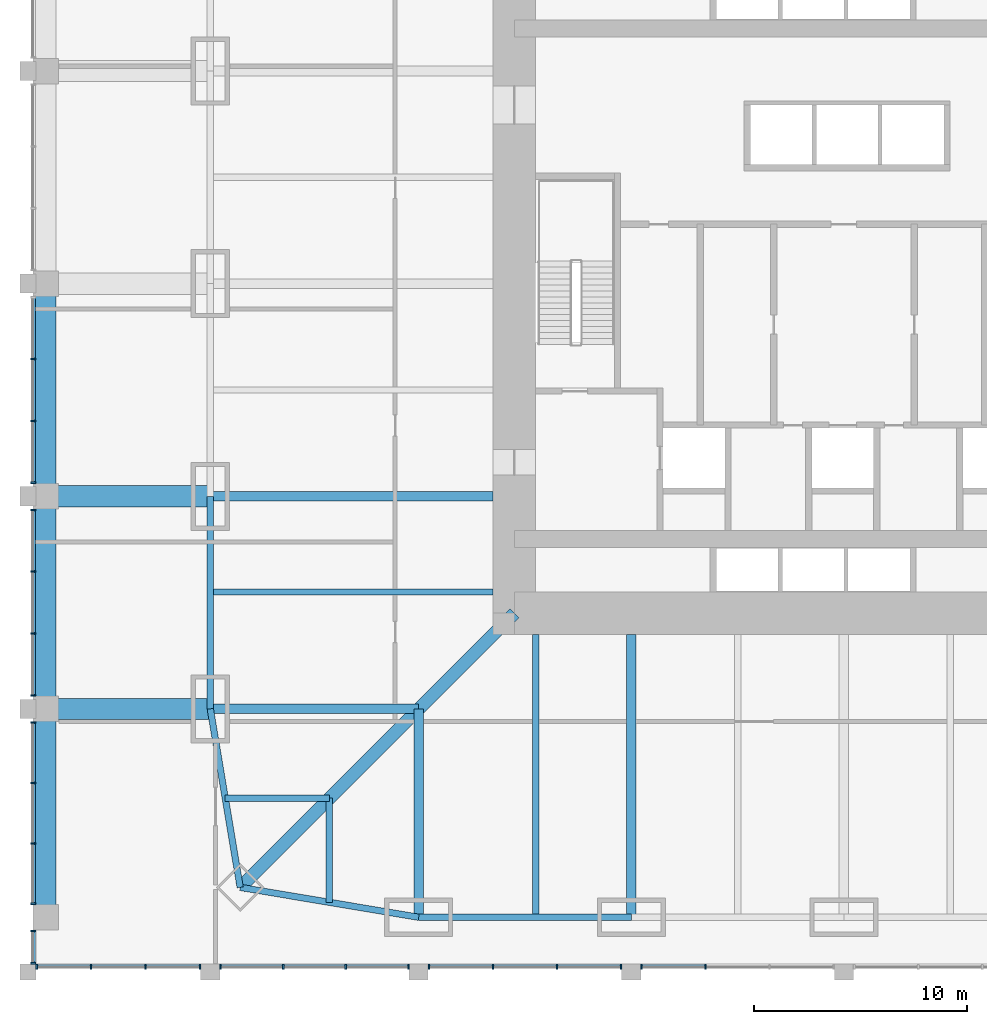
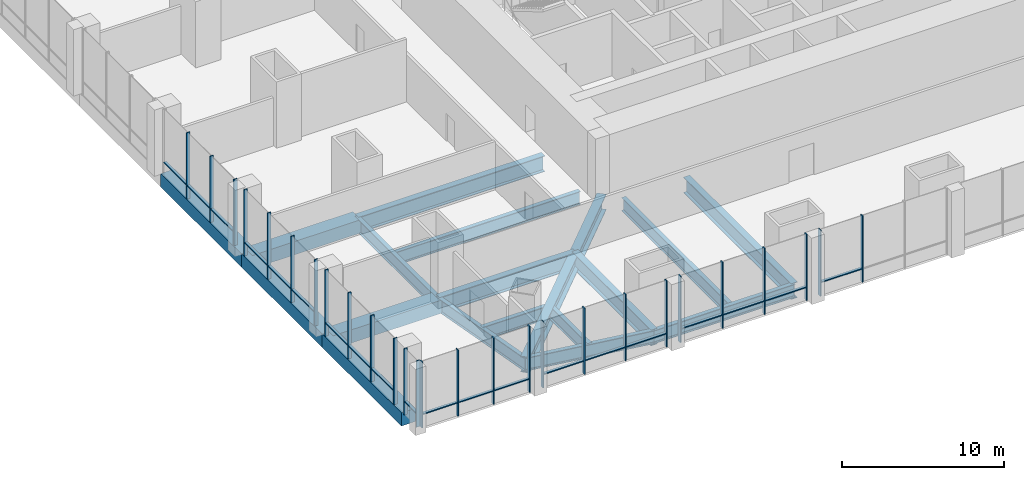
# One storey, part 2 of 22: 47 members, 18 beams, 8 elements without a shape of their own.
"""IFC4 building model written with IfcOpenShell, lengths in metres."""

from ifc_helpers import new_model, si_unit, direction, frame, origin, origin_2d, place, context, subcontext, project, spatial, rectangle, i_section, extrude, material, material_profile, profile_set, type_object, element, aggregate, save


model = new_model("IFC4")

# Units and contexts
model_context = context("Model", 3, precision=1e-05, world=origin(), true_north=direction((0.0, 1.0)))
body_context = subcontext(model_context, "Body", "Model", "MODEL_VIEW")
ifc_project = project(units=[si_unit("LENGTHUNIT", "METRE"), si_unit("AREAUNIT", "SQUARE_METRE"), si_unit("VOLUMEUNIT", "CUBIC_METRE"), si_unit("PLANEANGLEUNIT", "RADIAN"), si_unit("MASSUNIT", "GRAM", prefix="KILO")], contexts=[model_context])

# Site, building, storey
site_placement = place(None, origin())
site = spatial("IfcSite", under=ifc_project, at=site_placement, CompositionType="ELEMENT")
building_placement = place(site_placement, origin())
building = spatial("IfcBuilding", under=site, at=building_placement, Name="Khuree Lantern Residences", CompositionType="ELEMENT")
storey_placement = place(building_placement, frame((0.0, 0.0, 16.0)))
storey = spatial("IfcBuildingStorey", under=building, at=storey_placement, Name="L03", CompositionType="ELEMENT", Elevation=16.0)

# Beams
ifc_material_1 = material(Name="Steel S355", Category="steel")
ifc_material_profile_1 = material_profile(ifc_material_1, i_section(OverallWidth=0.300048828125, OverallDepth=1.0, WebThickness=0.01904296875, FlangeThickness=0.035888671875, FilletRadius=0.030029296875, at=origin_2d()), Name="HE 1000 B")
ifc_profile_set_1 = profile_set([ifc_material_profile_1], Name="Steel S355")
beam_type_1 = type_object("IfcBeamType", Name="B-03 SECONDARY BEAM HE 1000 B", PredefinedType="BEAM", material=ifc_profile_set_1)
beam_1_placement = place(storey_placement, frame((-14.5, -29.800048828125, -0.800048828125), z_axis=(0.0, 1.0, 0.0), x_axis=(-1.0, 0.0, 0.0)))
element("IfcBeam", 1, at=beam_1_placement, inside=storey, type_object=beam_type_1, Name="Secondary beam S5", PredefinedType="BEAM", context=body_context, shape_type="SweptSolid", body=[
    extrude(i_section(OverallWidth=0.300048828125, OverallDepth=1.0, WebThickness=0.01904296875, FlangeThickness=0.035888671875, FilletRadius=0.030029296875, at=origin_2d()), origin(), (0.0, 0.0, 1.0), 13.300048828125),
])
for number, where, z_axis, x_axis, name in (
    (2, (-24.197021484375, -29.09716796875, -0.800048828125), (0.0, 1.0, 0.0), (-1.0, 0.0, 0.0), "Secondary beam S6"),
    (3, (-29.09716796875, -24.197021484375, -0.800048828125), (1.0, 0.0, 0.0), (0.0, 1.0, 0.0), "Secondary beam W1"),
):
    element("IfcBeam", number, at=place(storey_placement, frame(where, z_axis=z_axis, x_axis=x_axis)), inside=storey, type_object=beam_type_1, Name=name, PredefinedType="BEAM", context=body_context, shape_type="SweptSolid", body=[
        extrude(i_section(OverallWidth=0.300048828125, OverallDepth=1.0, WebThickness=0.01904296875, FlangeThickness=0.035888671875, FilletRadius=0.030029296875, at=origin_2d()), origin(), (0.0, 0.0, 1.0), 4.900146484375),
    ])
beam_2_placement = place(storey_placement, frame((-29.800048828125, -14.5, -0.800048828125), z_axis=(1.0, 0.0, 0.0), x_axis=(0.0, 1.0, 0.0)))
element("IfcBeam", 4, at=beam_2_placement, inside=storey, type_object=beam_type_1, Name="Secondary beam W2", PredefinedType="BEAM", context=body_context, shape_type="SweptSolid", body=[
    extrude(i_section(OverallWidth=0.300048828125, OverallDepth=1.0, WebThickness=0.01904296875, FlangeThickness=0.035888671875, FilletRadius=0.030029296875, at=origin_2d()), origin(), (0.0, 0.0, 1.0), 13.300048828125),
])
ifc_material_profile_2 = material_profile(ifc_material_1, i_section(OverallWidth=0.300048828125, OverallDepth=1.0, WebThickness=0.01904296875, FlangeThickness=0.035888671875, FilletRadius=0.030029296875, at=origin_2d()), Name="HE 1000 B")
ifc_profile_set_2 = profile_set([ifc_material_profile_2], Name="Steel S355")
beam_type_2 = type_object("IfcBeamType", Name="E-03 SPANDREL BEAM HE 1000 B", PredefinedType="SPANDREL", material=ifc_profile_set_2)
beam_3_placement = place(storey_placement, frame((-10.0, -29.800048828125, -0.800048828125), z_axis=(-1.0, 0.0, 0.0), x_axis=(0.0, -1.0, 0.0)))
element("IfcBeam", 5, at=beam_3_placement, inside=storey, type_object=beam_type_2, Name="Spandrel beam S5", PredefinedType="SPANDREL", context=body_context, shape_type="SweptSolid", body=[
    extrude(i_section(OverallWidth=0.300048828125, OverallDepth=1.0, WebThickness=0.01904296875, FlangeThickness=0.035888671875, FilletRadius=0.030029296875, at=origin_2d()), origin(), (0.0, 0.0, 1.0), 10.0),
])
for number, where, z_axis, x_axis, name in (
    (6, (-20.0, -29.800048828125, -0.800048828125), (-0.986260251158, 0.165199022349, 0.0), (-0.165199022349, -0.986260251158, 0.0), "Spandrel beam S6"),
    (7, (-28.39404296875, -28.39404296875, -0.800048828125), (-0.165199022349, 0.986260251158, 0.0), (-0.986260251158, -0.165199022349, 0.0), "Spandrel beam W1"),
):
    element("IfcBeam", number, at=place(storey_placement, frame(where, z_axis=z_axis, x_axis=x_axis)), inside=storey, type_object=beam_type_2, Name=name, PredefinedType="SPANDREL", context=body_context, shape_type="SweptSolid", body=[
        extrude(i_section(OverallWidth=0.300048828125, OverallDepth=1.0, WebThickness=0.01904296875, FlangeThickness=0.035888671875, FilletRadius=0.030029296875, at=origin_2d()), origin(), (0.0, 0.0, 1.0), 8.510986328125),
    ])
beam_4_placement = place(storey_placement, frame((-29.800048828125, -20.0, -0.800048828125), z_axis=(0.0, 1.0, 0.0), x_axis=(-1.0, 0.0, 0.0)))
element("IfcBeam", 8, at=beam_4_placement, inside=storey, type_object=beam_type_2, Name="Spandrel beam W2", PredefinedType="SPANDREL", context=body_context, shape_type="SweptSolid", body=[
    extrude(i_section(OverallWidth=0.300048828125, OverallDepth=1.0, WebThickness=0.01904296875, FlangeThickness=0.035888671875, FilletRadius=0.030029296875, at=origin_2d()), origin(), (0.0, 0.0, 1.0), 10.0),
])
ifc_material_profile_3 = material_profile(ifc_material_1, i_section(OverallWidth=0.449951171875, OverallDepth=1.199951171875, WebThickness=0.02490234375, FlangeThickness=0.044921875, at=origin_2d()), Name="WELDED I 1200X450X25X45")
ifc_profile_set_3 = profile_set([ifc_material_profile_3], Name="Steel S355")
beam_type_3 = type_object("IfcBeamType", Name="G-03 GIRDER WELDED I 1200X450X25X45", PredefinedType="BEAM", material=ifc_profile_set_3)
beam_5_placement = place(storey_placement, frame((-10.0, -29.800048828125, -0.89990234375), z_axis=(0.0, 1.0, 0.0), x_axis=(-1.0, 0.0, 0.0)))
element("IfcBeam", 9, at=beam_5_placement, inside=storey, type_object=beam_type_3, Name="Girder S4", PredefinedType="BEAM", context=body_context, shape_type="SweptSolid", body=[
    extrude(i_section(OverallWidth=0.449951171875, OverallDepth=1.199951171875, WebThickness=0.02490234375, FlangeThickness=0.044921875, at=origin_2d()), origin(), (0.0, 0.0, 1.0), 13.300048828125),
])
for number, where, z_axis, x_axis, name in (
    (10, (-20.0, -29.800048828125, -0.89990234375), (0.0, 1.0, 0.0), (-1.0, 0.0, 0.0), "Girder S5"),
    (11, (-29.800048828125, -20.0, -0.89990234375), (1.0, 0.0, 0.0), (0.0, 1.0, 0.0), "Girder W1"),
):
    element("IfcBeam", number, at=place(storey_placement, frame(where, z_axis=z_axis, x_axis=x_axis)), inside=storey, type_object=beam_type_3, Name=name, PredefinedType="BEAM", context=body_context, shape_type="SweptSolid", body=[
        extrude(i_section(OverallWidth=0.449951171875, OverallDepth=1.199951171875, WebThickness=0.02490234375, FlangeThickness=0.044921875, at=origin_2d()), origin(), (0.0, 0.0, 1.0), 9.800048828125),
    ])
beam_6_placement = place(storey_placement, frame((-29.800048828125, -10.0, -0.89990234375), z_axis=(1.0, 0.0, 0.0), x_axis=(0.0, 1.0, 0.0)))
element("IfcBeam", 12, at=beam_6_placement, inside=storey, type_object=beam_type_3, Name="Girder W2", PredefinedType="BEAM", context=body_context, shape_type="SweptSolid", body=[
    extrude(i_section(OverallWidth=0.449951171875, OverallDepth=1.199951171875, WebThickness=0.02490234375, FlangeThickness=0.044921875, at=origin_2d()), origin(), (0.0, 0.0, 1.0), 13.300048828125),
])
ifc_material_profile_4 = material_profile(ifc_material_1, i_section(OverallWidth=0.60009765625, OverallDepth=1.199951171875, WebThickness=0.030029296875, FlangeThickness=0.06005859375, at=origin_2d()), Name="WELDED I 1200X600X30X60")
ifc_profile_set_4 = profile_set([ifc_material_profile_4], Name="Steel S355")
beam_type_4 = type_object("IfcBeamType", Name="GD-03 CORNER GIRDER WELDED I 1200X600X30X60", PredefinedType="BEAM", material=ifc_profile_set_4)
beam_7_placement = place(storey_placement, frame((-28.39404296875, -28.39404296875, -0.89990234375), z_axis=(0.707106781187, 0.707106781187, 0.0), x_axis=(-0.707106781187, 0.707106781187, 0.0)))
element("IfcBeam", 13, at=beam_7_placement, inside=storey, type_object=beam_type_4, Name="Corner girder SW", PredefinedType="BEAM", context=body_context, shape_type="SweptSolid", body=[
    extrude(i_section(OverallWidth=0.60009765625, OverallDepth=1.199951171875, WebThickness=0.030029296875, FlangeThickness=0.06005859375, at=origin_2d()), origin(), (0.0, 0.0, 1.0), 18.23486328125),
])

# Curtain wall, members
ifc_material_2 = material(Name="Bronze anodised aluminium", Category="aluminium")
curtain_wall_type = type_object("IfcCurtainWallType", Name="CW-P PODIUM STOREFRONT CURTAIN WALL", PredefinedType="USERDEFINED", material=ifc_material_2)
curtain_wall_1_placement = place(storey_placement, origin())
curtain_wall_1 = element("IfcCurtainWall", 14, at=curtain_wall_1_placement, inside=storey, type_object=curtain_wall_type, Name="L03 SOUTH FACE BAY 1 STOREFRONT", ObjectType="Storefront curtain wall", PredefinedType="USERDEFINED")
ifc_material_profile_5 = material_profile(ifc_material_2, rectangle(XDim=0.074951171875, YDim=0.25, at=origin_2d()), Name="M5 75X250")
ifc_profile_set_5 = profile_set([ifc_material_profile_5], Name="Bronze anodised aluminium")
member_type_1 = type_object("IfcMemberType", Name="MULLION M5 STOREFRONT 75X250", PredefinedType="MULLION", material=ifc_profile_set_5)
member_1_placement = place(storey_placement, frame((-37.96240234375, -32.125, 0.0), z_axis=(0.0, 0.0, 1.0), x_axis=(1.0, 0.0, 0.0)))
member_1 = element("IfcMember", 15, at=member_1_placement, type_object=member_type_1, Name="L03 SOUTH FACE BAY 1 MULLION 1", PredefinedType="MULLION", context=body_context, shape_type="SweptSolid", body=[
    extrude(rectangle(XDim=0.074951171875, YDim=0.25, at=origin_2d()), origin(), (0.0, 0.0, 1.0), 5.0),
])
member_2_placement = place(storey_placement, frame((-35.404052734375, -32.125, 0.0), z_axis=(0.0, 0.0, 1.0), x_axis=(1.0, 0.0, 0.0)))
member_2 = element("IfcMember", 16, at=member_2_placement, type_object=member_type_1, Name="L03 SOUTH FACE BAY 1 MULLION 2", PredefinedType="MULLION", context=body_context, shape_type="SweptSolid", body=[
    extrude(rectangle(XDim=0.074951171875, YDim=0.25, at=origin_2d()), origin(), (0.0, 0.0, 1.0), 5.0),
])
member_3_placement = place(storey_placement, frame((-32.845947265625, -32.125, 0.0), z_axis=(0.0, 0.0, 1.0), x_axis=(1.0, 0.0, 0.0)))
member_3 = element("IfcMember", 17, at=member_3_placement, type_object=member_type_1, Name="L03 SOUTH FACE BAY 1 MULLION 3", PredefinedType="MULLION", context=body_context, shape_type="SweptSolid", body=[
    extrude(rectangle(XDim=0.074951171875, YDim=0.25, at=origin_2d()), origin(), (0.0, 0.0, 1.0), 5.0),
])
member_4_placement = place(storey_placement, frame((-30.28759765625, -32.125, 0.0), z_axis=(0.0, 0.0, 1.0), x_axis=(1.0, 0.0, 0.0)))
member_4 = element("IfcMember", 18, at=member_4_placement, type_object=member_type_1, Name="L03 SOUTH FACE BAY 1 MULLION 4", PredefinedType="MULLION", context=body_context, shape_type="SweptSolid", body=[
    extrude(rectangle(XDim=0.074951171875, YDim=0.25, at=origin_2d()), origin(), (0.0, 0.0, 1.0), 5.0),
])

curtain_wall_2_placement = place(storey_placement, origin())
curtain_wall_2 = element("IfcCurtainWall", 19, at=curtain_wall_2_placement, inside=storey, type_object=curtain_wall_type, Name="L03 SOUTH FACE BAY 2 STOREFRONT", ObjectType="Storefront curtain wall", PredefinedType="USERDEFINED")
member_5_placement = place(storey_placement, frame((-29.3125, -32.125, 0.0), z_axis=(0.0, 0.0, 1.0), x_axis=(1.0, 0.0, 0.0)))
member_5 = element("IfcMember", 20, at=member_5_placement, type_object=member_type_1, Name="L03 SOUTH FACE BAY 2 MULLION 1", PredefinedType="MULLION", context=body_context, shape_type="SweptSolid", body=[
    extrude(rectangle(XDim=0.074951171875, YDim=0.25, at=origin_2d()), origin(), (0.0, 0.0, 1.0), 5.0),
])
member_6_placement = place(storey_placement, frame((-26.370849609375, -32.125, 0.0), z_axis=(0.0, 0.0, 1.0), x_axis=(1.0, 0.0, 0.0)))
member_6 = element("IfcMember", 21, at=member_6_placement, type_object=member_type_1, Name="L03 SOUTH FACE BAY 2 MULLION 2", PredefinedType="MULLION", context=body_context, shape_type="SweptSolid", body=[
    extrude(rectangle(XDim=0.074951171875, YDim=0.25, at=origin_2d()), origin(), (0.0, 0.0, 1.0), 5.0),
])
member_7_placement = place(storey_placement, frame((-23.42919921875, -32.125, 0.0), z_axis=(0.0, 0.0, 1.0), x_axis=(1.0, 0.0, 0.0)))
member_7 = element("IfcMember", 22, at=member_7_placement, type_object=member_type_1, Name="L03 SOUTH FACE BAY 2 MULLION 3", PredefinedType="MULLION", context=body_context, shape_type="SweptSolid", body=[
    extrude(rectangle(XDim=0.074951171875, YDim=0.25, at=origin_2d()), origin(), (0.0, 0.0, 1.0), 5.0),
])
member_8_placement = place(storey_placement, frame((-20.487548828125, -32.125, 0.0), z_axis=(0.0, 0.0, 1.0), x_axis=(1.0, 0.0, 0.0)))
member_8 = element("IfcMember", 23, at=member_8_placement, type_object=member_type_1, Name="L03 SOUTH FACE BAY 2 MULLION 4", PredefinedType="MULLION", context=body_context, shape_type="SweptSolid", body=[
    extrude(rectangle(XDim=0.074951171875, YDim=0.25, at=origin_2d()), origin(), (0.0, 0.0, 1.0), 5.0),
])

curtain_wall_3_placement = place(storey_placement, origin())
curtain_wall_3 = element("IfcCurtainWall", 24, at=curtain_wall_3_placement, inside=storey, type_object=curtain_wall_type, Name="L03 SOUTH FACE BAY 3 STOREFRONT", ObjectType="Storefront curtain wall", PredefinedType="USERDEFINED")
member_9_placement = place(storey_placement, frame((-19.512451171875, -32.125, 0.0), z_axis=(0.0, 0.0, 1.0), x_axis=(1.0, 0.0, 0.0)))
member_9 = element("IfcMember", 25, at=member_9_placement, type_object=member_type_1, Name="L03 SOUTH FACE BAY 3 MULLION 1", PredefinedType="MULLION", context=body_context, shape_type="SweptSolid", body=[
    extrude(rectangle(XDim=0.074951171875, YDim=0.25, at=origin_2d()), origin(), (0.0, 0.0, 1.0), 5.0),
])
member_10_placement = place(storey_placement, frame((-16.504150390625, -32.125, 0.0), z_axis=(0.0, 0.0, 1.0), x_axis=(1.0, 0.0, 0.0)))
member_10 = element("IfcMember", 26, at=member_10_placement, type_object=member_type_1, Name="L03 SOUTH FACE BAY 3 MULLION 2", PredefinedType="MULLION", context=body_context, shape_type="SweptSolid", body=[
    extrude(rectangle(XDim=0.074951171875, YDim=0.25, at=origin_2d()), origin(), (0.0, 0.0, 1.0), 5.0),
])
member_11_placement = place(storey_placement, frame((-13.495849609375, -32.125, 0.0), z_axis=(0.0, 0.0, 1.0), x_axis=(1.0, 0.0, 0.0)))
member_11 = element("IfcMember", 27, at=member_11_placement, type_object=member_type_1, Name="L03 SOUTH FACE BAY 3 MULLION 3", PredefinedType="MULLION", context=body_context, shape_type="SweptSolid", body=[
    extrude(rectangle(XDim=0.074951171875, YDim=0.25, at=origin_2d()), origin(), (0.0, 0.0, 1.0), 5.0),
])
member_12_placement = place(storey_placement, frame((-10.487548828125, -32.125, 0.0), z_axis=(0.0, 0.0, 1.0), x_axis=(1.0, 0.0, 0.0)))
member_12 = element("IfcMember", 28, at=member_12_placement, type_object=member_type_1, Name="L03 SOUTH FACE BAY 3 MULLION 4", PredefinedType="MULLION", context=body_context, shape_type="SweptSolid", body=[
    extrude(rectangle(XDim=0.074951171875, YDim=0.25, at=origin_2d()), origin(), (0.0, 0.0, 1.0), 5.0),
])

curtain_wall_4_placement = place(storey_placement, origin())
curtain_wall_4 = element("IfcCurtainWall", 29, at=curtain_wall_4_placement, inside=storey, type_object=curtain_wall_type, Name="L03 SOUTH FACE BAY 4 STOREFRONT", ObjectType="Storefront curtain wall", PredefinedType="USERDEFINED")
member_13_placement = place(storey_placement, frame((-9.512451171875, -32.125, 0.0), z_axis=(0.0, 0.0, 1.0), x_axis=(1.0, 0.0, 0.0)))
member_13 = element("IfcMember", 30, at=member_13_placement, type_object=member_type_1, Name="L03 SOUTH FACE BAY 4 MULLION 1", PredefinedType="MULLION", context=body_context, shape_type="SweptSolid", body=[
    extrude(rectangle(XDim=0.074951171875, YDim=0.25, at=origin_2d()), origin(), (0.0, 0.0, 1.0), 5.0),
])
member_14_placement = place(storey_placement, frame((-6.504150390625, -32.125, 0.0), z_axis=(0.0, 0.0, 1.0), x_axis=(1.0, 0.0, 0.0)))
member_14 = element("IfcMember", 31, at=member_14_placement, type_object=member_type_1, Name="L03 SOUTH FACE BAY 4 MULLION 2", PredefinedType="MULLION", context=body_context, shape_type="SweptSolid", body=[
    extrude(rectangle(XDim=0.074951171875, YDim=0.25, at=origin_2d()), origin(), (0.0, 0.0, 1.0), 5.0),
])

curtain_wall_5_placement = place(storey_placement, origin())
curtain_wall_5 = element("IfcCurtainWall", 32, at=curtain_wall_5_placement, inside=storey, type_object=curtain_wall_type, Name="L03 WEST FACE BAY 6 STOREFRONT", ObjectType="Storefront curtain wall", PredefinedType="USERDEFINED")
member_15_placement = place(storey_placement, frame((-38.125, -3.5458984375, 0.0), z_axis=(0.0, 0.0, 1.0), x_axis=(0.0, -1.0, 0.0)))
member_15 = element("IfcMember", 33, at=member_15_placement, type_object=member_type_1, Name="L03 WEST FACE BAY 6 MULLION 2", PredefinedType="MULLION", context=body_context, shape_type="SweptSolid", body=[
    extrude(rectangle(XDim=0.074951171875, YDim=0.25, at=origin_2d()), origin(), (0.0, 0.0, 1.0), 5.0),
])
member_16_placement = place(storey_placement, frame((-38.125, -6.4541015625, 0.0), z_axis=(0.0, 0.0, 1.0), x_axis=(0.0, -1.0, 0.0)))
member_16 = element("IfcMember", 34, at=member_16_placement, type_object=member_type_1, Name="L03 WEST FACE BAY 6 MULLION 3", PredefinedType="MULLION", context=body_context, shape_type="SweptSolid", body=[
    extrude(rectangle(XDim=0.074951171875, YDim=0.25, at=origin_2d()), origin(), (0.0, 0.0, 1.0), 5.0),
])
member_17_placement = place(storey_placement, frame((-38.125, -9.362548828125, 0.0), z_axis=(0.0, 0.0, 1.0), x_axis=(0.0, -1.0, 0.0)))
member_17 = element("IfcMember", 35, at=member_17_placement, type_object=member_type_1, Name="L03 WEST FACE BAY 6 MULLION 4", PredefinedType="MULLION", context=body_context, shape_type="SweptSolid", body=[
    extrude(rectangle(XDim=0.074951171875, YDim=0.25, at=origin_2d()), origin(), (0.0, 0.0, 1.0), 5.0),
])

curtain_wall_6_placement = place(storey_placement, origin())
curtain_wall_6 = element("IfcCurtainWall", 36, at=curtain_wall_6_placement, inside=storey, type_object=curtain_wall_type, Name="L03 WEST FACE BAY 7 STOREFRONT", ObjectType="Storefront curtain wall", PredefinedType="USERDEFINED")
member_18_placement = place(storey_placement, frame((-38.125, -10.637451171875, 0.0), z_axis=(0.0, 0.0, 1.0), x_axis=(0.0, -1.0, 0.0)))
member_18 = element("IfcMember", 37, at=member_18_placement, type_object=member_type_1, Name="L03 WEST FACE BAY 7 MULLION 1", PredefinedType="MULLION", context=body_context, shape_type="SweptSolid", body=[
    extrude(rectangle(XDim=0.074951171875, YDim=0.25, at=origin_2d()), origin(), (0.0, 0.0, 1.0), 5.0),
])
member_19_placement = place(storey_placement, frame((-38.125, -13.5458984375, 0.0), z_axis=(0.0, 0.0, 1.0), x_axis=(0.0, -1.0, 0.0)))
member_19 = element("IfcMember", 38, at=member_19_placement, type_object=member_type_1, Name="L03 WEST FACE BAY 7 MULLION 2", PredefinedType="MULLION", context=body_context, shape_type="SweptSolid", body=[
    extrude(rectangle(XDim=0.074951171875, YDim=0.25, at=origin_2d()), origin(), (0.0, 0.0, 1.0), 5.0),
])
member_20_placement = place(storey_placement, frame((-38.125, -16.4541015625, 0.0), z_axis=(0.0, 0.0, 1.0), x_axis=(0.0, -1.0, 0.0)))
member_20 = element("IfcMember", 39, at=member_20_placement, type_object=member_type_1, Name="L03 WEST FACE BAY 7 MULLION 3", PredefinedType="MULLION", context=body_context, shape_type="SweptSolid", body=[
    extrude(rectangle(XDim=0.074951171875, YDim=0.25, at=origin_2d()), origin(), (0.0, 0.0, 1.0), 5.0),
])
member_21_placement = place(storey_placement, frame((-38.125, -19.362548828125, 0.0), z_axis=(0.0, 0.0, 1.0), x_axis=(0.0, -1.0, 0.0)))
member_21 = element("IfcMember", 40, at=member_21_placement, type_object=member_type_1, Name="L03 WEST FACE BAY 7 MULLION 4", PredefinedType="MULLION", context=body_context, shape_type="SweptSolid", body=[
    extrude(rectangle(XDim=0.074951171875, YDim=0.25, at=origin_2d()), origin(), (0.0, 0.0, 1.0), 5.0),
])

curtain_wall_7_placement = place(storey_placement, origin())
curtain_wall_7 = element("IfcCurtainWall", 41, at=curtain_wall_7_placement, inside=storey, type_object=curtain_wall_type, Name="L03 WEST FACE BAY 8 STOREFRONT", ObjectType="Storefront curtain wall", PredefinedType="USERDEFINED")
member_22_placement = place(storey_placement, frame((-38.125, -20.637451171875, 0.0), z_axis=(0.0, 0.0, 1.0), x_axis=(0.0, -1.0, 0.0)))
member_22 = element("IfcMember", 42, at=member_22_placement, type_object=member_type_1, Name="L03 WEST FACE BAY 8 MULLION 1", PredefinedType="MULLION", context=body_context, shape_type="SweptSolid", body=[
    extrude(rectangle(XDim=0.074951171875, YDim=0.25, at=origin_2d()), origin(), (0.0, 0.0, 1.0), 5.0),
])
member_23_placement = place(storey_placement, frame((-38.125, -23.479248046875, 0.0), z_axis=(0.0, 0.0, 1.0), x_axis=(0.0, -1.0, 0.0)))
member_23 = element("IfcMember", 43, at=member_23_placement, type_object=member_type_1, Name="L03 WEST FACE BAY 8 MULLION 2", PredefinedType="MULLION", context=body_context, shape_type="SweptSolid", body=[
    extrude(rectangle(XDim=0.074951171875, YDim=0.25, at=origin_2d()), origin(), (0.0, 0.0, 1.0), 5.0),
])
member_24_placement = place(storey_placement, frame((-38.125, -26.32080078125, 0.0), z_axis=(0.0, 0.0, 1.0), x_axis=(0.0, -1.0, 0.0)))
member_24 = element("IfcMember", 44, at=member_24_placement, type_object=member_type_1, Name="L03 WEST FACE BAY 8 MULLION 3", PredefinedType="MULLION", context=body_context, shape_type="SweptSolid", body=[
    extrude(rectangle(XDim=0.074951171875, YDim=0.25, at=origin_2d()), origin(), (0.0, 0.0, 1.0), 5.0),
])
member_25_placement = place(storey_placement, frame((-38.125, -29.16259765625, 0.0), z_axis=(0.0, 0.0, 1.0), x_axis=(0.0, -1.0, 0.0)))
member_25 = element("IfcMember", 45, at=member_25_placement, type_object=member_type_1, Name="L03 WEST FACE BAY 8 MULLION 4", PredefinedType="MULLION", context=body_context, shape_type="SweptSolid", body=[
    extrude(rectangle(XDim=0.074951171875, YDim=0.25, at=origin_2d()), origin(), (0.0, 0.0, 1.0), 5.0),
])

curtain_wall_8_placement = place(storey_placement, origin())
curtain_wall_8 = element("IfcCurtainWall", 46, at=curtain_wall_8_placement, inside=storey, type_object=curtain_wall_type, Name="L03 WEST FACE BAY 8B STOREFRONT", ObjectType="Storefront curtain wall", PredefinedType="USERDEFINED")
member_26_placement = place(storey_placement, frame((-38.125, -30.4375, 0.0), z_axis=(0.0, 0.0, 1.0), x_axis=(0.0, -1.0, 0.0)))
member_26 = element("IfcMember", 47, at=member_26_placement, type_object=member_type_1, Name="L03 WEST FACE BAY 8B MULLION 1", PredefinedType="MULLION", context=body_context, shape_type="SweptSolid", body=[
    extrude(rectangle(XDim=0.074951171875, YDim=0.25, at=origin_2d()), origin(), (0.0, 0.0, 1.0), 5.0),
])
member_27_placement = place(storey_placement, frame((-38.125, -31.96240234375, 0.0), z_axis=(0.0, 0.0, 1.0), x_axis=(0.0, -1.0, 0.0)))
member_27 = element("IfcMember", 48, at=member_27_placement, type_object=member_type_1, Name="L03 WEST FACE BAY 8B MULLION 2", PredefinedType="MULLION", context=body_context, shape_type="SweptSolid", body=[
    extrude(rectangle(XDim=0.074951171875, YDim=0.25, at=origin_2d()), origin(), (0.0, 0.0, 1.0), 5.0),
])

# Beams
ifc_material_3 = material(Name="Concrete C40/50", Category="concrete")
ifc_material_profile_6 = material_profile(ifc_material_3, rectangle(XDim=1.0, YDim=1.0, at=origin_2d()), Name="RC 1000X1000")
ifc_profile_set_6 = profile_set([ifc_material_profile_6], Name="Concrete C40/50")
beam_type_5 = type_object("IfcBeamType", Name="RB3 PODIUM BEAM RC 1000X1000", PredefinedType="BEAM", material=ifc_profile_set_6)
for number, where, z_axis, x_axis, name in (
    (49, (-37.550048828125, -20.0, -0.800048828125), (1.0, 0.0, 0.0), (0.0, 1.0, 0.0), "Podium beam RB-1"),
    (50, (-37.550048828125, -10.0, -0.800048828125), (1.0, 0.0, 0.0), (0.0, 1.0, 0.0), "Podium beam RB-3"),
):
    element("IfcBeam", number, at=place(storey_placement, frame(where, z_axis=z_axis, x_axis=x_axis)), inside=storey, type_object=beam_type_5, Name=name, PredefinedType="BEAM", context=body_context, shape_type="SweptSolid", body=[
        extrude(rectangle(XDim=1.0, YDim=1.0, at=origin_2d()), origin(), (0.0, 0.0, 1.0), 7.75),
    ])
beam_8_placement = place(storey_placement, frame((-37.550048828125, -29.800048828125, -0.800048828125), z_axis=(0.0, 1.0, 0.0), x_axis=(-1.0, 0.0, 0.0)))
element("IfcBeam", 51, at=beam_8_placement, inside=storey, type_object=beam_type_5, Name="Podium beam RB-25", PredefinedType="BEAM", context=body_context, shape_type="SweptSolid", body=[
    extrude(rectangle(XDim=1.0, YDim=1.0, at=origin_2d()), origin(), (0.0, 0.0, 1.0), 9.800048828125),
])
for number, where, z_axis, x_axis, name in (
    (52, (-37.550048828125, -20.0, -0.800048828125), (0.0, 1.0, 0.0), (-1.0, 0.0, 0.0), "Podium beam RB-26"),
    (53, (-37.550048828125, -10.0, -0.800048828125), (0.0, 1.0, 0.0), (-1.0, 0.0, 0.0), "Podium beam RB-27"),
):
    element("IfcBeam", number, at=place(storey_placement, frame(where, z_axis=z_axis, x_axis=x_axis)), inside=storey, type_object=beam_type_5, Name=name, PredefinedType="BEAM", context=body_context, shape_type="SweptSolid", body=[
        extrude(rectangle(XDim=1.0, YDim=1.0, at=origin_2d()), origin(), (0.0, 0.0, 1.0), 10.0),
    ])

# Member
ifc_material_profile_7 = material_profile(ifc_material_2, rectangle(XDim=0.199951171875, YDim=0.074951171875, at=origin_2d()), Name="T5 200X75")
ifc_profile_set_7 = profile_set([ifc_material_profile_7], Name="Bronze anodised aluminium")
member_type_2 = type_object("IfcMemberType", Name="TRANSOM T5 STOREFRONT 200X75", PredefinedType="USERDEFINED", material=ifc_profile_set_7)
member_28_placement = place(storey_placement, frame((-37.925048828125, -32.1201171875, 1.0), z_axis=(1.0, 0.0, 0.0), x_axis=(0.0, 1.0, 0.0)))
member_28 = element("IfcMember", 54, at=member_28_placement, type_object=member_type_2, Name="L03 SOUTH FACE BAY 1 TRANSOM 1", ObjectType="Transom", PredefinedType="USERDEFINED", context=body_context, shape_type="SweptSolid", body=[
    extrude(rectangle(XDim=0.199951171875, YDim=0.074951171875, at=origin_2d()), origin(), (0.0, 0.0, 1.0), 2.4833984375),
])

member_29_placement = place(storey_placement, frame((-35.36669921875, -32.1201171875, 1.0), z_axis=(1.0, 0.0, 0.0), x_axis=(0.0, 1.0, 0.0)))
member_29 = element("IfcMember", 55, at=member_29_placement, type_object=member_type_2, Name="L03 SOUTH FACE BAY 1 TRANSOM 2", ObjectType="Transom", PredefinedType="USERDEFINED", context=body_context, shape_type="SweptSolid", body=[
    extrude(rectangle(XDim=0.199951171875, YDim=0.074951171875, at=origin_2d()), origin(), (0.0, 0.0, 1.0), 2.4833984375),
])

member_30_placement = place(storey_placement, frame((-32.808349609375, -32.1201171875, 1.0), z_axis=(1.0, 0.0, 0.0), x_axis=(0.0, 1.0, 0.0)))
member_30 = element("IfcMember", 56, at=member_30_placement, type_object=member_type_2, Name="L03 SOUTH FACE BAY 1 TRANSOM 3", ObjectType="Transom", PredefinedType="USERDEFINED", context=body_context, shape_type="SweptSolid", body=[
    extrude(rectangle(XDim=0.199951171875, YDim=0.074951171875, at=origin_2d()), origin(), (0.0, 0.0, 1.0), 2.4833984375),
])

aggregate(curtain_wall_1, [member_1, member_2, member_3, member_4, member_28, member_29, member_30])

member_31_placement = place(storey_placement, frame((-29.27490234375, -32.1201171875, 1.0), z_axis=(1.0, 0.0, 0.0), x_axis=(0.0, 1.0, 0.0)))
member_31 = element("IfcMember", 57, at=member_31_placement, type_object=member_type_2, Name="L03 SOUTH FACE BAY 2 TRANSOM 1", ObjectType="Transom", PredefinedType="USERDEFINED", context=body_context, shape_type="SweptSolid", body=[
    extrude(rectangle(XDim=0.199951171875, YDim=0.074951171875, at=origin_2d()), origin(), (0.0, 0.0, 1.0), 2.866455078125),
])

member_32_placement = place(storey_placement, frame((-26.333251953125, -32.1201171875, 1.0), z_axis=(1.0, 0.0, 0.0), x_axis=(0.0, 1.0, 0.0)))
member_32 = element("IfcMember", 58, at=member_32_placement, type_object=member_type_2, Name="L03 SOUTH FACE BAY 2 TRANSOM 2", ObjectType="Transom", PredefinedType="USERDEFINED", context=body_context, shape_type="SweptSolid", body=[
    extrude(rectangle(XDim=0.199951171875, YDim=0.074951171875, at=origin_2d()), origin(), (0.0, 0.0, 1.0), 2.86669921875),
])

member_33_placement = place(storey_placement, frame((-23.3916015625, -32.1201171875, 1.0), z_axis=(1.0, 0.0, 0.0), x_axis=(0.0, 1.0, 0.0)))
member_33 = element("IfcMember", 59, at=member_33_placement, type_object=member_type_2, Name="L03 SOUTH FACE BAY 2 TRANSOM 3", ObjectType="Transom", PredefinedType="USERDEFINED", context=body_context, shape_type="SweptSolid", body=[
    extrude(rectangle(XDim=0.199951171875, YDim=0.074951171875, at=origin_2d()), origin(), (0.0, 0.0, 1.0), 2.86669921875),
])

aggregate(curtain_wall_2, [member_5, member_6, member_7, member_8, member_31, member_32, member_33])

member_34_placement = place(storey_placement, frame((-19.47509765625, -32.1201171875, 1.0), z_axis=(1.0, 0.0, 0.0), x_axis=(0.0, 1.0, 0.0)))
member_34 = element("IfcMember", 60, at=member_34_placement, type_object=member_type_2, Name="L03 SOUTH FACE BAY 3 TRANSOM 1", ObjectType="Transom", PredefinedType="USERDEFINED", context=body_context, shape_type="SweptSolid", body=[
    extrude(rectangle(XDim=0.199951171875, YDim=0.074951171875, at=origin_2d()), origin(), (0.0, 0.0, 1.0), 2.933349609375),
])

member_35_placement = place(storey_placement, frame((-16.466552734375, -32.1201171875, 1.0), z_axis=(1.0, 0.0, 0.0), x_axis=(0.0, 1.0, 0.0)))
member_35 = element("IfcMember", 61, at=member_35_placement, type_object=member_type_2, Name="L03 SOUTH FACE BAY 3 TRANSOM 2", ObjectType="Transom", PredefinedType="USERDEFINED", context=body_context, shape_type="SweptSolid", body=[
    extrude(rectangle(XDim=0.199951171875, YDim=0.074951171875, at=origin_2d()), origin(), (0.0, 0.0, 1.0), 2.93310546875),
])

member_36_placement = place(storey_placement, frame((-13.458251953125, -32.1201171875, 1.0), z_axis=(1.0, 0.0, 0.0), x_axis=(0.0, 1.0, 0.0)))
member_36 = element("IfcMember", 62, at=member_36_placement, type_object=member_type_2, Name="L03 SOUTH FACE BAY 3 TRANSOM 3", ObjectType="Transom", PredefinedType="USERDEFINED", context=body_context, shape_type="SweptSolid", body=[
    extrude(rectangle(XDim=0.199951171875, YDim=0.074951171875, at=origin_2d()), origin(), (0.0, 0.0, 1.0), 2.933349609375),
])

aggregate(curtain_wall_3, [member_9, member_10, member_11, member_12, member_34, member_35, member_36])

member_37_placement = place(storey_placement, frame((-9.47509765625, -32.1201171875, 1.0), z_axis=(1.0, 0.0, 0.0), x_axis=(0.0, 1.0, 0.0)))
member_37 = element("IfcMember", 63, at=member_37_placement, type_object=member_type_2, Name="L03 SOUTH FACE BAY 4 TRANSOM 1", ObjectType="Transom", PredefinedType="USERDEFINED", context=body_context, shape_type="SweptSolid", body=[
    extrude(rectangle(XDim=0.199951171875, YDim=0.074951171875, at=origin_2d()), origin(), (0.0, 0.0, 1.0), 2.933349609375),
])

aggregate(curtain_wall_4, [member_13, member_14, member_37])

member_38_placement = place(storey_placement, frame((-38.1201171875, -0.675048828125, 1.0), z_axis=(0.0, -1.0, 0.0), x_axis=(1.0, 0.0, 0.0)))
member_38 = element("IfcMember", 64, at=member_38_placement, type_object=member_type_2, Name="L03 WEST FACE BAY 6 TRANSOM 1", ObjectType="Transom", PredefinedType="USERDEFINED", context=body_context, shape_type="SweptSolid", body=[
    extrude(rectangle(XDim=0.199951171875, YDim=0.074951171875, at=origin_2d()), origin(), (0.0, 0.0, 1.0), 2.833251953125),
])

member_39_placement = place(storey_placement, frame((-38.1201171875, -3.583251953125, 1.0), z_axis=(0.0, -1.0, 0.0), x_axis=(1.0, 0.0, 0.0)))
member_39 = element("IfcMember", 65, at=member_39_placement, type_object=member_type_2, Name="L03 WEST FACE BAY 6 TRANSOM 2", ObjectType="Transom", PredefinedType="USERDEFINED", context=body_context, shape_type="SweptSolid", body=[
    extrude(rectangle(XDim=0.199951171875, YDim=0.074951171875, at=origin_2d()), origin(), (0.0, 0.0, 1.0), 2.83349609375),
])

member_40_placement = place(storey_placement, frame((-38.1201171875, -6.49169921875, 1.0), z_axis=(0.0, -1.0, 0.0), x_axis=(1.0, 0.0, 0.0)))
member_40 = element("IfcMember", 66, at=member_40_placement, type_object=member_type_2, Name="L03 WEST FACE BAY 6 TRANSOM 3", ObjectType="Transom", PredefinedType="USERDEFINED", context=body_context, shape_type="SweptSolid", body=[
    extrude(rectangle(XDim=0.199951171875, YDim=0.074951171875, at=origin_2d()), origin(), (0.0, 0.0, 1.0), 2.833251953125),
])

aggregate(curtain_wall_5, [member_15, member_16, member_17, member_38, member_39, member_40])

member_41_placement = place(storey_placement, frame((-38.1201171875, -10.675048828125, 1.0), z_axis=(0.0, -1.0, 0.0), x_axis=(1.0, 0.0, 0.0)))
member_41 = element("IfcMember", 67, at=member_41_placement, type_object=member_type_2, Name="L03 WEST FACE BAY 7 TRANSOM 1", ObjectType="Transom", PredefinedType="USERDEFINED", context=body_context, shape_type="SweptSolid", body=[
    extrude(rectangle(XDim=0.199951171875, YDim=0.074951171875, at=origin_2d()), origin(), (0.0, 0.0, 1.0), 2.833251953125),
])

member_42_placement = place(storey_placement, frame((-38.1201171875, -13.583251953125, 1.0), z_axis=(0.0, -1.0, 0.0), x_axis=(1.0, 0.0, 0.0)))
member_42 = element("IfcMember", 68, at=member_42_placement, type_object=member_type_2, Name="L03 WEST FACE BAY 7 TRANSOM 2", ObjectType="Transom", PredefinedType="USERDEFINED", context=body_context, shape_type="SweptSolid", body=[
    extrude(rectangle(XDim=0.199951171875, YDim=0.074951171875, at=origin_2d()), origin(), (0.0, 0.0, 1.0), 2.83349609375),
])

member_43_placement = place(storey_placement, frame((-38.1201171875, -16.49169921875, 1.0), z_axis=(0.0, -1.0, 0.0), x_axis=(1.0, 0.0, 0.0)))
member_43 = element("IfcMember", 69, at=member_43_placement, type_object=member_type_2, Name="L03 WEST FACE BAY 7 TRANSOM 3", ObjectType="Transom", PredefinedType="USERDEFINED", context=body_context, shape_type="SweptSolid", body=[
    extrude(rectangle(XDim=0.199951171875, YDim=0.074951171875, at=origin_2d()), origin(), (0.0, 0.0, 1.0), 2.833251953125),
])

aggregate(curtain_wall_6, [member_18, member_19, member_20, member_21, member_41, member_42, member_43])

member_44_placement = place(storey_placement, frame((-38.1201171875, -20.675048828125, 1.0), z_axis=(0.0, -1.0, 0.0), x_axis=(1.0, 0.0, 0.0)))
member_44 = element("IfcMember", 70, at=member_44_placement, type_object=member_type_2, Name="L03 WEST FACE BAY 8 TRANSOM 1", ObjectType="Transom", PredefinedType="USERDEFINED", context=body_context, shape_type="SweptSolid", body=[
    extrude(rectangle(XDim=0.199951171875, YDim=0.074951171875, at=origin_2d()), origin(), (0.0, 0.0, 1.0), 2.7666015625),
])

member_45_placement = place(storey_placement, frame((-38.1201171875, -23.5166015625, 1.0), z_axis=(0.0, -1.0, 0.0), x_axis=(1.0, 0.0, 0.0)))
member_45 = element("IfcMember", 71, at=member_45_placement, type_object=member_type_2, Name="L03 WEST FACE BAY 8 TRANSOM 2", ObjectType="Transom", PredefinedType="USERDEFINED", context=body_context, shape_type="SweptSolid", body=[
    extrude(rectangle(XDim=0.199951171875, YDim=0.074951171875, at=origin_2d()), origin(), (0.0, 0.0, 1.0), 2.766845703125),
])

member_46_placement = place(storey_placement, frame((-38.1201171875, -26.3583984375, 1.0), z_axis=(0.0, -1.0, 0.0), x_axis=(1.0, 0.0, 0.0)))
member_46 = element("IfcMember", 72, at=member_46_placement, type_object=member_type_2, Name="L03 WEST FACE BAY 8 TRANSOM 3", ObjectType="Transom", PredefinedType="USERDEFINED", context=body_context, shape_type="SweptSolid", body=[
    extrude(rectangle(XDim=0.199951171875, YDim=0.074951171875, at=origin_2d()), origin(), (0.0, 0.0, 1.0), 2.7666015625),
])

aggregate(curtain_wall_7, [member_22, member_23, member_24, member_25, member_44, member_45, member_46])

member_47_placement = place(storey_placement, frame((-38.1201171875, -30.47509765625, 1.0), z_axis=(0.0, -1.0, 0.0), x_axis=(1.0, 0.0, 0.0)))
member_47 = element("IfcMember", 73, at=member_47_placement, type_object=member_type_2, Name="L03 WEST FACE BAY 8B TRANSOM 1", ObjectType="Transom", PredefinedType="USERDEFINED", context=body_context, shape_type="SweptSolid", body=[
    extrude(rectangle(XDim=0.199951171875, YDim=0.074951171875, at=origin_2d()), origin(), (0.0, 0.0, 1.0), 1.449951171875),
])

aggregate(curtain_wall_8, [member_26, member_27, member_47])

save(model, "model.ifc")
